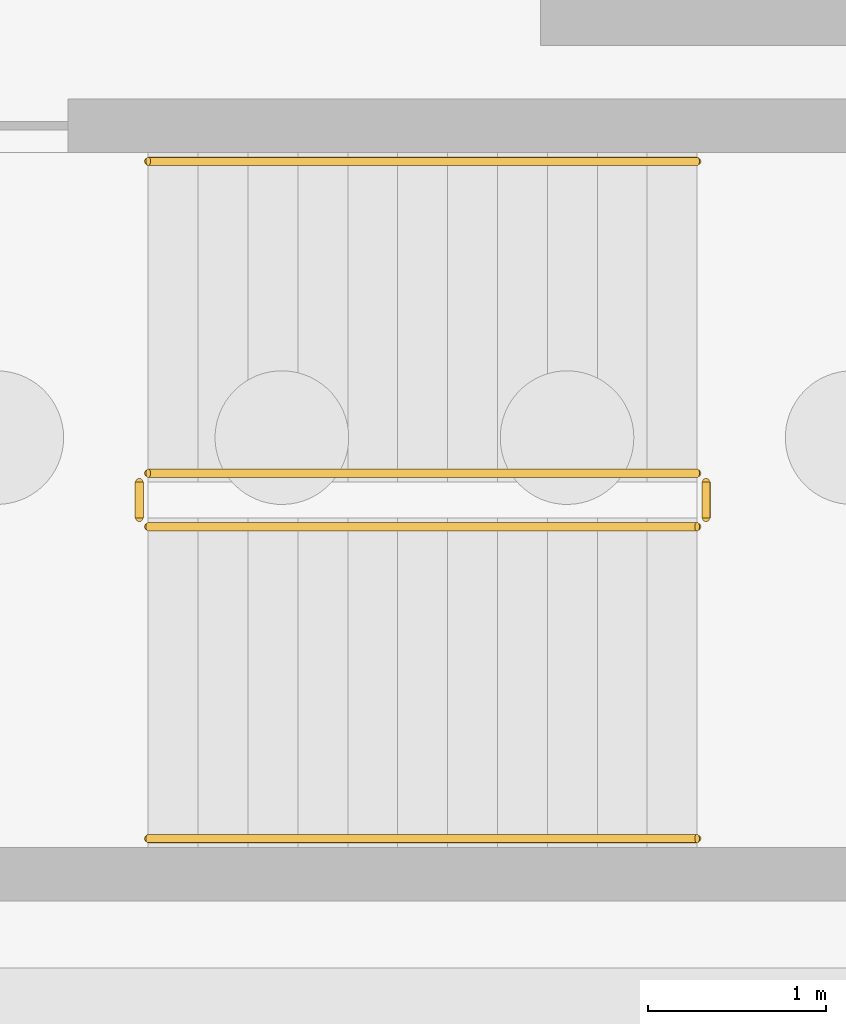
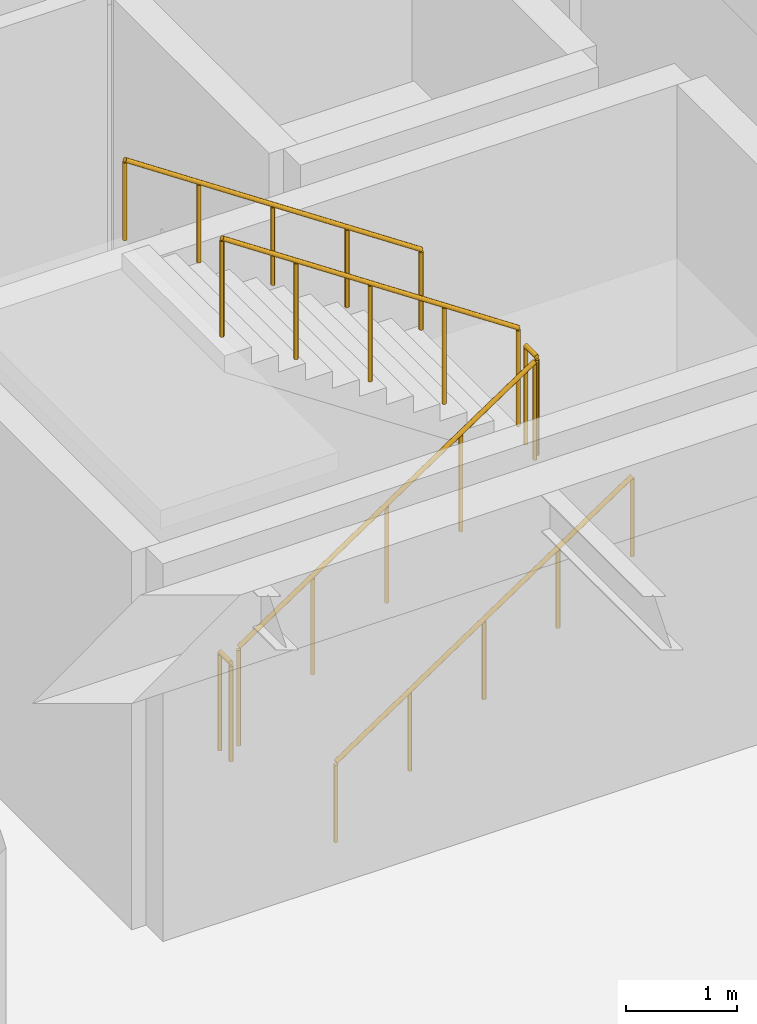
# One storey, part 18 of 20: 6 railings.
"""IFC4 building model written with IfcOpenShell, lengths in metres."""

from ifc_helpers import new_model, si_unit, direction, frame, origin, origin_2d, place, context, subcontext, project, spatial, circle, extrude, material, type_object, element, save


model = new_model("IFC4")

# Units and contexts
model_context = context("Model", 3, precision=1e-05, world=origin(), true_north=direction((0.0, 1.0)))
body_context = subcontext(model_context, "Body", "Model", "MODEL_VIEW")
ifc_project = project(units=[si_unit("LENGTHUNIT", "METRE"), si_unit("AREAUNIT", "SQUARE_METRE"), si_unit("VOLUMEUNIT", "CUBIC_METRE"), si_unit("PLANEANGLEUNIT", "RADIAN"), si_unit("MASSUNIT", "GRAM", prefix="KILO")], contexts=[model_context])

# Site, building, storey
site_placement = place(None, origin())
site = spatial("IfcSite", under=ifc_project, at=site_placement, CompositionType="ELEMENT")
building_placement = place(site_placement, origin())
building = spatial("IfcBuilding", under=site, at=building_placement, Name="Pandanus Reach Market Hall", CompositionType="ELEMENT")
storey_placement = place(building_placement, frame((0.0, 0.0, -4.5)))
storey = spatial("IfcBuildingStorey", under=building, at=storey_placement, Name="B1", CompositionType="ELEMENT", Elevation=-4.5)

# Railings
ifc_material_1 = material(Name="Galvanised steel Grade 350 (350 MPa)", Category="steel")
railing_type_1 = type_object("IfcRailingType", Name="GR-INT-110", PredefinedType="GUARDRAIL", material=ifc_material_1)
railing_1_placement = place(storey_placement, frame((172.449951171875, 69.89990234375, 0.1875)))
element("IfcRailing", 1, at=railing_1_placement, inside=storey, type_object=railing_type_1, Name="Stair guard ST-02 B1.32", PredefinedType="GUARDRAIL", context=body_context, shape_type="SweptSolid", body=[
    extrude(circle(Radius=0.02392578125, at=origin_2d()), frame((0.0, 0.0, 1.076171875), z_axis=(0.830913701846, 0.0, 0.55640131208), x_axis=(0.0, 1.0, 0.0)), (0.0, 0.0, 1.0), 3.706787109375),
    extrude(circle(Radius=0.02099609375, at=origin_2d()), origin(), (0.0, 0.0, 1.0), 1.052001953125),
    extrude(circle(Radius=0.02099609375, at=origin_2d()), frame((0.77001953125, 0.0, 0.515625)), (0.0, 0.0, 1.0), 1.052001953125),
    extrude(circle(Radius=0.02099609375, at=origin_2d()), frame((1.5400390625, 0.0, 1.03125)), (0.0, 0.0, 1.0), 1.052001953125),
    extrude(circle(Radius=0.02099609375, at=origin_2d()), frame((2.31005859375, 0.0, 1.546875)), (0.0, 0.0, 1.0), 1.052001953125),
    extrude(circle(Radius=0.02099609375, at=origin_2d()), frame((3.080078125, 0.0, 2.0625)), (0.0, 0.0, 1.0), 1.052001953125),
])
railing_2_placement = place(storey_placement, frame((175.580078125, 69.949951171875, 2.25)))
element("IfcRailing", 2, at=railing_2_placement, inside=storey, type_object=railing_type_1, Name="Stair guard ST-02 B1.33", PredefinedType="GUARDRAIL", context=body_context, shape_type="SweptSolid", body=[
    extrude(circle(Radius=0.02392578125, at=origin_2d()), frame((0.0, 0.0, 1.076171875), z_axis=(0.0, 1.0, 0.0), x_axis=(-1.0, 0.0, 0.0)), (0.0, 0.0, 1.0), 0.199951171875),
    extrude(circle(Radius=0.02099609375, at=origin_2d()), origin(), (0.0, 0.0, 1.0), 1.052001953125),
    extrude(circle(Radius=0.02099609375, at=origin_2d()), frame((0.0, 0.199951171875, 0.0)), (0.0, 0.0, 1.0), 1.052001953125),
])
railing_3_placement = place(storey_placement, frame((175.530029296875, 70.199951171875, 2.4375)))
element("IfcRailing", 3, at=railing_3_placement, inside=storey, type_object=railing_type_1, Name="Stair guard ST-02 B1.34", PredefinedType="GUARDRAIL", context=body_context, shape_type="SweptSolid", body=[
    extrude(circle(Radius=0.02392578125, at=origin_2d()), frame((0.0, 0.0, 1.076171875), z_axis=(-0.830913701846, 0.0, 0.55640131208), x_axis=(0.0, -1.0, 0.0)), (0.0, 0.0, 1.0), 3.706787109375),
    extrude(circle(Radius=0.02099609375, at=origin_2d()), origin(), (0.0, 0.0, 1.0), 1.052001953125),
    extrude(circle(Radius=0.02099609375, at=origin_2d()), frame((-0.77001953125, 0.0, 0.515625)), (0.0, 0.0, 1.0), 1.052001953125),
    extrude(circle(Radius=0.02099609375, at=origin_2d()), frame((-1.5400390625, 0.0, 1.03125)), (0.0, 0.0, 1.0), 1.052001953125),
    extrude(circle(Radius=0.02099609375, at=origin_2d()), frame((-2.31005859375, 0.0, 1.546875)), (0.0, 0.0, 1.0), 1.052001953125),
    extrude(circle(Radius=0.02099609375, at=origin_2d()), frame((-3.080078125, 0.0, 2.0625)), (0.0, 0.0, 1.0), 1.052001953125),
])
railing_4_placement = place(storey_placement, frame((172.39990234375, 69.949951171875, 0.0)))
element("IfcRailing", 4, at=railing_4_placement, inside=storey, type_object=railing_type_1, Name="Stair guard ST-02 B1.35", PredefinedType="GUARDRAIL", context=body_context, shape_type="SweptSolid", body=[
    extrude(circle(Radius=0.02392578125, at=origin_2d()), frame((0.0, 0.0, 1.076171875), z_axis=(0.0, 1.0, 0.0), x_axis=(-1.0, 0.0, 0.0)), (0.0, 0.0, 1.0), 0.199951171875),
    extrude(circle(Radius=0.02099609375, at=origin_2d()), origin(), (0.0, 0.0, 1.0), 1.052001953125),
    extrude(circle(Radius=0.02099609375, at=origin_2d()), frame((0.0, 0.199951171875, 0.0)), (0.0, 0.0, 1.0), 1.052001953125),
])
ifc_material_2 = material(Name="Brushed stainless steel", Category="steel")
railing_type_2 = type_object("IfcRailingType", Name="HR-WAL-090", PredefinedType="HANDRAIL", material=ifc_material_2)
railing_5_placement = place(storey_placement, frame((172.449951171875, 68.14990234375, 0.1875)))
element("IfcRailing", 5, at=railing_5_placement, inside=storey, type_object=railing_type_2, Name="Stair handrail ST-02 B1.36", PredefinedType="HANDRAIL", context=body_context, shape_type="SweptSolid", body=[
    extrude(circle(Radius=0.02392578125, at=origin_2d()), frame((0.0, 0.0, 0.8759765625), z_axis=(0.830913701846, 0.0, 0.55640131208), x_axis=(0.0, 1.0, 0.0)), (0.0, 0.0, 1.0), 3.706787109375),
    extrude(circle(Radius=0.02099609375, at=origin_2d()), origin(), (0.0, 0.0, 1.0), 0.851806640625),
    extrude(circle(Radius=0.02099609375, at=origin_2d()), frame((0.77001953125, 0.0, 0.515625)), (0.0, 0.0, 1.0), 0.851806640625),
    extrude(circle(Radius=0.02099609375, at=origin_2d()), frame((1.5400390625, 0.0, 1.03125)), (0.0, 0.0, 1.0), 0.851806640625),
    extrude(circle(Radius=0.02099609375, at=origin_2d()), frame((2.31005859375, 0.0, 1.546875)), (0.0, 0.0, 1.0), 0.851806640625),
    extrude(circle(Radius=0.02099609375, at=origin_2d()), frame((3.080078125, 0.0, 2.0625)), (0.0, 0.0, 1.0), 0.851806640625),
])
railing_6_placement = place(storey_placement, frame((175.530029296875, 71.949951171875, 2.4375)))
element("IfcRailing", 6, at=railing_6_placement, inside=storey, type_object=railing_type_2, Name="Stair handrail ST-02 B1.37", PredefinedType="HANDRAIL", context=body_context, shape_type="SweptSolid", body=[
    extrude(circle(Radius=0.02392578125, at=origin_2d()), frame((0.0, 0.0, 0.8759765625), z_axis=(-0.830913701846, 0.0, 0.55640131208), x_axis=(0.0, -1.0, 0.0)), (0.0, 0.0, 1.0), 3.706787109375),
    extrude(circle(Radius=0.02099609375, at=origin_2d()), origin(), (0.0, 0.0, 1.0), 0.851806640625),
    extrude(circle(Radius=0.02099609375, at=origin_2d()), frame((-0.77001953125, 0.0, 0.515625)), (0.0, 0.0, 1.0), 0.851806640625),
    extrude(circle(Radius=0.02099609375, at=origin_2d()), frame((-1.5400390625, 0.0, 1.03125)), (0.0, 0.0, 1.0), 0.851806640625),
    extrude(circle(Radius=0.02099609375, at=origin_2d()), frame((-2.31005859375, 0.0, 1.546875)), (0.0, 0.0, 1.0), 0.851806640625),
    extrude(circle(Radius=0.02099609375, at=origin_2d()), frame((-3.080078125, 0.0, 2.0625)), (0.0, 0.0, 1.0), 0.851806640625),
])

save(model, "model.ifc")
